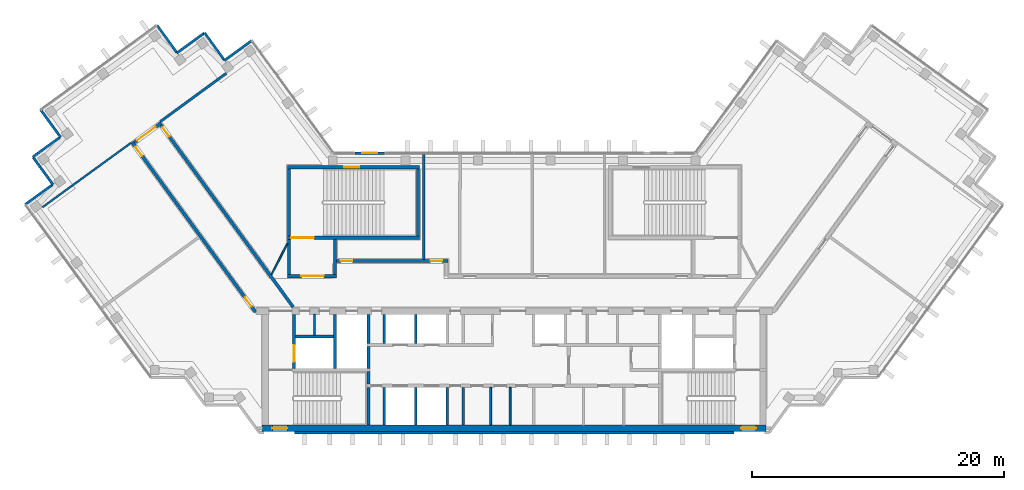
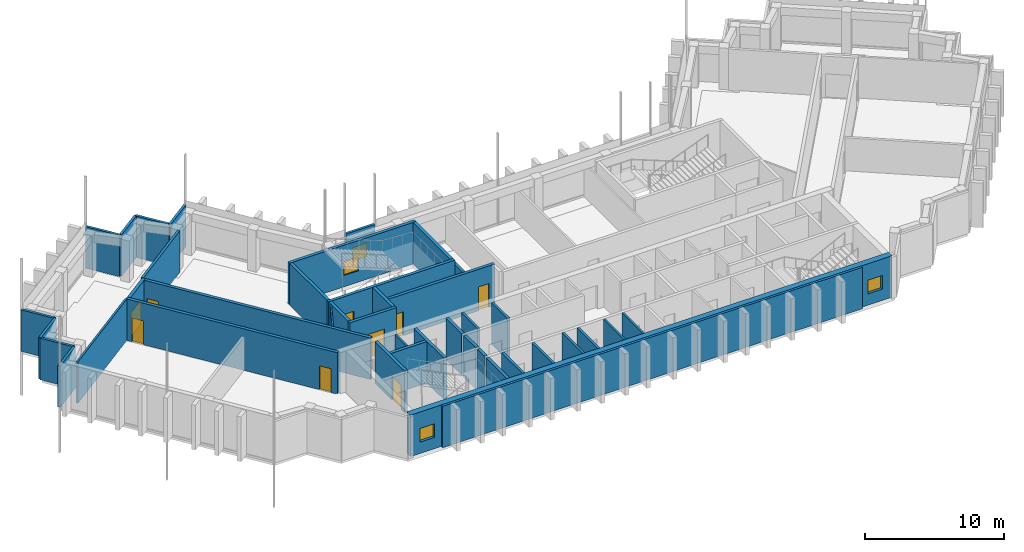
# One storey, part 8 of 14: 42 walls, 9 doors, 4 windows, 13 openings.
"""IFC4 building model written with IfcOpenShell, lengths in metres."""

import ifcopenshell
import ifcopenshell.guid

model = None  # the IFC model being written
_history = None  # IfcOwnerHistory: only IFC2X3 demands one
_inside = {}  # id of a spatial element -> (the spatial element, [elements in it])
_under = {}  # id of a project, library or spatial element -> (it, [spatial elements below it])
_declared = {}  # id of a project -> (the project, [libraries it declares])
_typed = {}  # id of a type object -> (the type object, [elements of that type])
_made_of = {}  # id of a material, layer set ... -> (it, [elements and type objects made of it])


def new_model(schema):
    """Start an empty IFC model of exactly this schema.

    Asked for "IFC4X3", IfcOpenShell would pick the latest addendum, in which some entities
    have other attributes; the version numbers below select the first issue.
    IFC2X3 requires an IfcOwnerHistory on every rooted entity: one is made here for all.
    """
    global model, _history
    if schema == "IFC4X3":
        model = ifcopenshell.file(schema_version=(4, 3, 0, 0))
    else:
        model = ifcopenshell.file(schema=schema)
    _inside.clear()
    _under.clear()
    _declared.clear()
    _typed.clear()
    _made_of.clear()
    _history = None
    if model.schema == "IFC2X3":
        org = make("IfcOrganization", Name="unknown")
        user = make(
            "IfcPersonAndOrganization",
            ThePerson=make("IfcPerson", FamilyName="unknown"),
            TheOrganization=org,
        )
        app = make(
            "IfcApplication",
            ApplicationDeveloper=org,
            Version="unknown",
            ApplicationFullName="unknown",
            ApplicationIdentifier="unknown",
        )
        _history = make(
            "IfcOwnerHistory",
            OwningUser=user,
            OwningApplication=app,
            ChangeAction="ADDED",
            CreationDate=0,
        )
    return model


def make(cls, **values):
    """One entity of the class cls with the attributes given. An attribute that is None is left unset."""
    return model.create_entity(
        cls, **{name: value for name, value in values.items() if value is not None}
    )


def rooted(cls, **values):
    """An entity with a GlobalId (a new one), such as an element, a storey or a relation."""
    return make(cls, GlobalId=ifcopenshell.guid.new(), OwnerHistory=_history, **values)


def si_unit(unit_type, name, prefix=None):
    """IfcSIUnit, for example si_unit("LENGTHUNIT", "METRE", prefix="MILLI")."""
    return make("IfcSIUnit", UnitType=unit_type, Prefix=prefix, Name=name)


def assignment(units):
    """IfcUnitAssignment: the units of a project."""
    return None if units is None else make("IfcUnitAssignment", Units=units)


def point(xyz):
    """IfcCartesianPoint."""
    return None if xyz is None else make("IfcCartesianPoint", Coordinates=xyz)


def direction(xyz):
    """IfcDirection."""
    return None if xyz is None else make("IfcDirection", DirectionRatios=xyz)


def frame(location, z_axis=None, x_axis=None):
    """IfcAxis2Placement3D, a coordinate frame: its origin and axes. An axis left out is left unset."""
    return make(
        "IfcAxis2Placement3D",
        Location=point(location),
        Axis=direction(z_axis),
        RefDirection=direction(x_axis),
    )


def frame_2d(location, x_axis=None):
    """IfcAxis2Placement2D, a coordinate frame in the plane: its origin and x axis."""
    return make(
        "IfcAxis2Placement2D", Location=point(location), RefDirection=direction(x_axis)
    )


def origin():
    """The frame at (0, 0, 0) with its axes left unset."""
    return frame((0.0, 0.0, 0.0))


def place(relative_to, where):
    """IfcLocalPlacement: puts the frame where relative to a parent placement (None: the world)."""
    return make(
        "IfcLocalPlacement", PlacementRelTo=relative_to, RelativePlacement=where
    )


def context(
    kind, dimensions, precision=None, world=None, true_north=None, identifier=None
):
    """IfcGeometricRepresentationContext, for example the 3D "Model" context."""
    return make(
        "IfcGeometricRepresentationContext",
        ContextIdentifier=identifier,
        ContextType=kind,
        CoordinateSpaceDimension=dimensions,
        Precision=precision,
        WorldCoordinateSystem=world,
        TrueNorth=true_north,
    )


def subcontext(parent, identifier, kind, view, scale=None):
    """IfcGeometricRepresentationSubContext, for example "Body" below "Model"."""
    return make(
        "IfcGeometricRepresentationSubContext",
        ContextIdentifier=identifier,
        ContextType=kind,
        ParentContext=parent,
        TargetScale=scale,
        TargetView=view,
    )


def project(units=None, contexts=None):
    """IfcProject with its units and contexts."""
    return rooted(
        "IfcProject",
        Name="project",
        RepresentationContexts=contexts,
        UnitsInContext=assignment(units),
    )


def spatial(cls, under=None, at=None, **own):
    """A site, building, storey or space (cls), placed at a placement, below another one or the project."""
    s = rooted(cls, ObjectPlacement=at, **own)
    if under is not None:
        _under.setdefault(under.id(), (under, []))[1].append(s)
    return s


def profile(cls, at=None, kind="AREA", **sizes):
    """A parametric profile (cls). Its sizes go by their IFC names, for example OverallWidth=200.0."""
    return make(cls, ProfileType=kind, Position=at, **sizes)


def rectangle(**sizes):
    """IfcRectangleProfileDef."""
    return profile("IfcRectangleProfileDef", **sizes)


def extrude(swept, where, along, depth):
    """IfcExtrudedAreaSolid: the profile swept, set in the frame where, extruded along a direction by depth."""
    return make(
        "IfcExtrudedAreaSolid",
        SweptArea=swept,
        Position=where,
        ExtrudedDirection=direction(along),
        Depth=depth,
    )


def shape(context_of_items, identifier, shape_type, items):
    """IfcShapeRepresentation: the items that make up one representation, for example the "Body"."""
    return make(
        "IfcShapeRepresentation",
        ContextOfItems=context_of_items,
        RepresentationIdentifier=identifier,
        RepresentationType=shape_type,
        Items=items,
    )


def material(Name=None, Category=None):
    """IfcMaterial."""
    return make("IfcMaterial", Name=Name, Category=Category)


def layer(
    of_material, thickness, ventilated=None, Name=None, Category=None, Priority=None
):
    """IfcMaterialLayer: one layer of a wall or slab, of a material (None: an air gap)."""
    return make(
        "IfcMaterialLayer",
        Material=of_material,
        LayerThickness=thickness,
        IsVentilated=ventilated,
        Name=Name,
        Category=Category,
        Priority=Priority,
    )


def layer_set(layers, Name=None):
    """IfcMaterialLayerSet."""
    return make("IfcMaterialLayerSet", MaterialLayers=layers, LayerSetName=Name)


def made_of(thing, what):
    """Note that an element or type object is made of a material, layer set ...; save() writes the relation."""
    if what is not None:
        _made_of.setdefault(what.id(), (what, []))[1].append(thing)
    return thing


def type_object(cls, material=None, **own):
    """A type object (cls), such as IfcWallType, which elements share."""
    return made_of(rooted(cls, **own), material)


def element(
    cls,
    number,
    at=None,
    inside=None,
    cuts=None,
    type_object=None,
    material=None,
    context=None,
    identifier="Body",
    shape_type=None,
    held_by="IfcProductDefinitionShape",
    body=None,
    shapes=None,
    **own,
):
    """One element of the class cls, such as IfcWall. Its Tag is "e" and its number.

    at: its placement. inside: the storey or other place that contains it. cuts: it is an
    opening in that element (IfcRelVoidsElement). A single representation is given by context,
    identifier, shape_type and body (its items); several are given by shapes. held_by: the class
    of the entity that holds the representations. save() writes the other relations.
    """
    e = rooted(cls, Tag="e%d" % number, ObjectPlacement=at, **own)
    if body is not None:
        shapes = [shape(context, identifier, shape_type, body)]
    if shapes is not None:
        e.Representation = make(held_by, Representations=shapes)
    if inside is not None:
        _inside.setdefault(inside.id(), (inside, []))[1].append(e)
    if cuts is not None:
        rooted(
            "IfcRelVoidsElement", RelatingBuildingElement=cuts, RelatedOpeningElement=e
        )
    if type_object is not None:
        _typed.setdefault(type_object.id(), (type_object, []))[1].append(e)
    return made_of(e, material)


def fill(opening, filler):
    """IfcRelFillsElement: the door or window that sits in an opening."""
    return rooted(
        "IfcRelFillsElement",
        RelatingOpeningElement=opening,
        RelatedBuildingElement=filler,
    )


def aggregate(whole, parts):
    """IfcRelAggregates: a whole, such as a stair, and the parts it consists of."""
    return rooted("IfcRelAggregates", RelatingObject=whole, RelatedObjects=parts)


def save(model, path):
    """Write the relations noted so far, then the file.

    IfcRelAggregates (storeys below a building ...), IfcRelContainedInSpatialStructure (elements
    in a storey), IfcRelDefinesByType, IfcRelAssociatesMaterial and IfcRelDeclares: one each for
    every whole, place, type object, material and project.
    """
    for whole, parts in _under.values():
        aggregate(whole, parts)
    for where, things in _inside.values():
        rooted(
            "IfcRelContainedInSpatialStructure",
            RelatedElements=things,
            RelatingStructure=where,
        )
    for kind, things in _typed.values():
        rooted("IfcRelDefinesByType", RelatedObjects=things, RelatingType=kind)
    for what, things in _made_of.values():
        rooted("IfcRelAssociatesMaterial", RelatedObjects=things, RelatingMaterial=what)
    for by, libraries in _declared.values():
        rooted("IfcRelDeclares", RelatingContext=by, RelatedDefinitions=libraries)
    model.write(path)


model = new_model("IFC4")

# Units and contexts
model_context = context("Model", 3, precision=1e-05, world=origin(), true_north=direction((0.0, 1.0)))
body_context = subcontext(model_context, "Body", "Model", "MODEL_VIEW")
ifc_project = project(units=[si_unit("LENGTHUNIT", "METRE"), si_unit("AREAUNIT", "SQUARE_METRE"), si_unit("VOLUMEUNIT", "CUBIC_METRE"), si_unit("PLANEANGLEUNIT", "RADIAN"), si_unit("MASSUNIT", "GRAM", prefix="KILO")], contexts=[model_context])

# Site, building, storey
site_placement = place(None, origin())
site = spatial("IfcSite", under=ifc_project, at=site_placement, CompositionType="ELEMENT")
building_placement = place(site_placement, origin())
building = spatial("IfcBuilding", under=site, at=building_placement, Name="Quipu Civic Tower", CompositionType="ELEMENT")
storey_placement = place(building_placement, frame((0.0, 0.0, 335.0)))
storey = spatial("IfcBuildingStorey", under=building, at=storey_placement, Name="L78", CompositionType="ELEMENT", Elevation=335.0)

# Walls
ifc_material_1 = material(Name="Double gypsum plasterboard with mineral wool")
ifc_layer_1 = layer(ifc_material_1, 0.14990234375)
ifc_layer_set_1 = layer_set([ifc_layer_1], Name="Double gypsum plasterboard with mineral wool")
wall_type_1 = type_object("IfcWallType", Name="Acoustic partition 150 plasterboard", PredefinedType="PARTITIONING", material=ifc_layer_set_1)
wall_1_placement = place(storey_placement, frame((-37.42919921875, 6.805419921875, 0.0), z_axis=(0.0, 0.0, 1.0), x_axis=(0.809020922653, 0.587779845444, 0.0)))
element("IfcWall", 1, at=wall_1_placement, inside=storey, type_object=wall_type_1, Name="Partition P04", PredefinedType="PARTITIONING", context=body_context, shape_type="SweptSolid", body=[
    extrude(rectangle(XDim=8.670166015625, YDim=0.14990234375, at=frame_2d((4.3349609375, 0.0))), origin(), (0.0, 0.0, 1.0), 3.64990234375),
])
ifc_material_2 = material(Name="Fired clay blockwork", Category="masonry")
ifc_layer_2 = layer(ifc_material_2, 0.199951171875)
ifc_layer_set_2 = layer_set([ifc_layer_2], Name="Fired clay blockwork")
wall_type_2 = type_object("IfcWallType", Name="Blockwork wall 200", PredefinedType="SOLIDWALL", material=ifc_layer_set_2)
wall_2_placement = place(storey_placement, frame((-28.101318359375, 13.58251953125, 0.0), z_axis=(0.0, 0.0, 1.0), x_axis=(0.80699548015, 0.590557613631, 0.0)))
element("IfcWall", 2, at=wall_2_placement, inside=storey, type_object=wall_type_2, Name="Partition P03", PredefinedType="SOLIDWALL", context=body_context, shape_type="SweptSolid", body=[
    extrude(rectangle(XDim=6.515380859375, YDim=0.199951171875, at=frame_2d((3.2578125, 0.0))), origin(), (0.0, 0.0, 1.0), 3.64990234375),
])
wall_3_placement = place(storey_placement, frame((-7.177978515625, 11.0, 0.0), z_axis=(0.0, 0.0, 1.0), x_axis=(0.0, -1.0, 0.0)))
element("IfcWall", 3, at=wall_3_placement, inside=storey, type_object=wall_type_2, Name="Partition P08", PredefinedType="SOLIDWALL", context=body_context, shape_type="SweptSolid", body=[
    extrude(rectangle(XDim=8.35009765625, YDim=0.199951171875, at=frame_2d((4.175048828125, 0.0))), origin(), (0.0, 0.0, 1.0), 2.949951171875),
])
ifc_material_3 = material(Name="Concrete C70/85", Category="concrete")
ifc_layer_3 = layer(ifc_material_3, 0.25)
ifc_layer_set_3 = layer_set([ifc_layer_3], Name="Concrete C70/85")
wall_type_3 = type_object("IfcWallType", Name="Core wall 250", PredefinedType="SHEAR", material=ifc_layer_set_3)
wall_4_placement = place(storey_placement, frame((-11.574951171875, -10.5, 0.0), z_axis=(0.0, 0.0, 1.0), x_axis=(0.0, 1.0, 0.0)))
element("IfcWall", 4, at=wall_4_placement, inside=storey, type_object=wall_type_3, Name="Core wall", PredefinedType="SHEAR", context=body_context, shape_type="SweptSolid", body=[
    extrude(rectangle(XDim=3.0, YDim=0.25, at=frame_2d((1.5, 0.0))), origin(), (0.0, 0.0, 1.0), 3.64990234375),
])
wall_5_placement = place(storey_placement, frame((-11.574951171875, -7.25, 0.0), z_axis=(0.0, 0.0, 1.0), x_axis=(0.0, 1.0, 0.0)))
element("IfcWall", 5, at=wall_5_placement, inside=storey, type_object=wall_type_3, Name="Core wall", PredefinedType="SHEAR", context=body_context, shape_type="SweptSolid", body=[
    extrude(rectangle(XDim=1.0, YDim=0.25, at=frame_2d((0.5, 0.0))), origin(), (0.0, 0.0, 1.0), 3.64990234375),
])

# Wall, opening, door
wall_6_placement = place(storey_placement, frame((-17.47509765625, -6.0, 0.0), z_axis=(0.0, 0.0, 1.0), x_axis=(0.0, 1.0, 0.0)))
wall_6 = element("IfcWall", 6, at=wall_6_placement, inside=storey, type_object=wall_type_3, Name="Core wall", PredefinedType="SHEAR", context=body_context, shape_type="SweptSolid", body=[
    extrude(rectangle(XDim=4.300048828125, YDim=0.25, at=frame_2d((2.14990234375, 0.0))), origin(), (0.0, 0.0, 1.0), 3.64990234375),
])
opening_1_placement = place(wall_6_placement, frame((0.550048828125, 0.0, 0.0)))
opening_1 = element("IfcOpeningElement", 7, at=opening_1_placement, cuts=wall_6, Name="Opening LD-FF1", PredefinedType="OPENING", context=body_context, shape_type="SweptSolid", body=[
    extrude(rectangle(XDim=1.300048828125, YDim=2.10009765625, at=frame_2d((0.64990234375, 1.050048828125))), frame((0.0, 0.135009765625, 0.0), z_axis=(0.0, -1.0, 0.0), x_axis=(1.0, 0.0, 0.0)), (0.0, 0.0, 1.0), 0.27001953125),
])
ifc_material_4 = material(Name="Stainless steel", Category="steel")
door_type_1 = type_object("IfcDoorType", Name="Lift landing door 1300 x 2100", OperationType="DOUBLE_DOOR_SLIDING", PredefinedType="DOOR", material=ifc_material_4)
door_1_placement = place(opening_1_placement, origin())
door_1 = element("IfcDoor", 8, at=door_1_placement, inside=storey, type_object=door_type_1, Name="Landing door FF1", OperationType="DOUBLE_DOOR_SLIDING", OverallHeight=2.10009765625, OverallWidth=1.300048828125, PredefinedType="DOOR", context=body_context, shape_type="SweptSolid", body=[
    extrude(rectangle(XDim=1.300048828125, YDim=2.10009765625, at=frame_2d((0.64990234375, 1.050048828125))), frame((0.0, 0.02490234375, 0.0), z_axis=(0.0, -1.0, 0.0), x_axis=(1.0, 0.0, 0.0)), (0.0, 0.0, 1.0), 0.050048828125),
])
fill(opening_1, door_1)

# Walls
wall_7_placement = place(storey_placement, frame((-14.22509765625, -6.0, 0.0), z_axis=(0.0, 0.0, 1.0), x_axis=(0.0, 1.0, 0.0)))
element("IfcWall", 9, at=wall_7_placement, inside=storey, type_object=wall_type_3, Name="Core wall", PredefinedType="SHEAR", context=body_context, shape_type="SweptSolid", body=[
    extrude(rectangle(XDim=4.300048828125, YDim=0.25, at=frame_2d((2.14990234375, 0.0))), origin(), (0.0, 0.0, 1.0), 3.64990234375),
])
wall_8_placement = place(storey_placement, frame((-11.574951171875, -6.0, 0.0), z_axis=(0.0, 0.0, 1.0), x_axis=(0.0, 1.0, 0.0)))
element("IfcWall", 10, at=wall_8_placement, inside=storey, type_object=wall_type_3, Name="Core wall", PredefinedType="SHEAR", context=body_context, shape_type="SweptSolid", body=[
    extrude(rectangle(XDim=1.75, YDim=0.25, at=frame_2d((0.875, 0.0))), origin(), (0.0, 0.0, 1.0), 3.64990234375),
])
wall_9_placement = place(storey_placement, frame((-11.574951171875, -4.0, 0.0), z_axis=(0.0, 0.0, 1.0), x_axis=(0.0, 1.0, 0.0)))
element("IfcWall", 11, at=wall_9_placement, inside=storey, type_object=wall_type_3, Name="Core wall", PredefinedType="SHEAR", context=body_context, shape_type="SweptSolid", body=[
    extrude(rectangle(XDim=2.300048828125, YDim=0.25, at=frame_2d((1.14990234375, 0.0))), origin(), (0.0, 0.0, 1.0), 3.64990234375),
])
wall_10_placement = place(storey_placement, frame((-17.35009765625, -3.47509765625, 0.0), z_axis=(0.0, 0.0, 1.0), x_axis=(1.0, 0.0, 0.0)))
element("IfcWall", 12, at=wall_10_placement, inside=storey, type_object=wall_type_3, Name="Core wall", PredefinedType="SHEAR", context=body_context, shape_type="SweptSolid", body=[
    extrude(rectangle(XDim=3.0, YDim=0.25, at=frame_2d((1.5, 0.0))), origin(), (0.0, 0.0, 1.0), 3.64990234375),
])

# Wall, opening, door
wall_11_placement = place(storey_placement, frame((-18.0, 1.324951171875, 0.0), z_axis=(0.0, 0.0, 1.0), x_axis=(1.0, 0.0, 0.0)))
wall_11 = element("IfcWall", 13, at=wall_11_placement, inside=storey, type_object=wall_type_3, Name="Core wall", PredefinedType="SHEAR", context=body_context, shape_type="SweptSolid", body=[
    extrude(rectangle(XDim=3.89990234375, YDim=0.25, at=frame_2d((1.949951171875, 0.0))), origin(), (0.0, 0.0, 1.0), 3.64990234375),
])
opening_2_placement = place(wall_11_placement, frame((1.10009765625, 0.0, 0.0)))
opening_2 = element("IfcOpeningElement", 14, at=opening_2_placement, cuts=wall_11, Name="Opening CD-27", PredefinedType="OPENING", context=body_context, shape_type="SweptSolid", body=[
    extrude(rectangle(XDim=1.800048828125, YDim=2.10009765625, at=frame_2d((0.89990234375, 1.050048828125))), frame((0.0, 0.135009765625, 0.0), z_axis=(0.0, -1.0, 0.0), x_axis=(1.0, 0.0, 0.0)), (0.0, 0.0, 1.0), 0.27001953125),
])
ifc_material_5 = material(Name="Fire rated steel door", Category="steel")
door_type_2 = type_object("IfcDoorType", Name="Fire door FD90 double 1800 x 2100", OperationType="NOTDEFINED", PredefinedType="DOOR", material=ifc_material_5)
door_2_placement = place(opening_2_placement, origin())
door_2 = element("IfcDoor", 15, at=door_2_placement, inside=storey, type_object=door_type_2, Name="Lobby door", OperationType="DOUBLE_DOOR_SINGLE_SWING", OverallHeight=2.10009765625, OverallWidth=1.800048828125, PredefinedType="DOOR", context=body_context, shape_type="SweptSolid", body=[
    extrude(rectangle(XDim=1.800048828125, YDim=2.10009765625, at=frame_2d((0.89990234375, 1.050048828125))), frame((0.0, 0.02490234375, 0.0), z_axis=(0.0, -1.0, 0.0), x_axis=(1.0, 0.0, 0.0)), (0.0, 0.0, 1.0), 0.050048828125),
])
fill(opening_2, door_2)

# Walls
for number, where, z_axis, x_axis, name in (
    (16, (-17.875, 1.449951171875, 0.0), (0.0, 0.0, 1.0), (0.0, 1.0, 0.0), "Core wall"),
    (17, (-14.22509765625, 1.449951171875, 0.0), (0.0, 0.0, 1.0), (0.0, 1.0, 0.0), "Core wall"),
):
    element("IfcWall", number, at=place(storey_placement, frame(where, z_axis=z_axis, x_axis=x_axis)), inside=storey, type_object=wall_type_3, Name=name, PredefinedType="SHEAR", context=body_context, shape_type="SweptSolid", body=[
        extrude(rectangle(XDim=2.800048828125, YDim=0.25, at=frame_2d((1.39990234375, 0.0))), origin(), (0.0, 0.0, 1.0), 3.64990234375),
    ])

# Wall, opening, door
wall_12_placement = place(storey_placement, frame((-18.0, 4.375, 0.0), z_axis=(0.0, 0.0, 1.0), x_axis=(1.0, 0.0, 0.0)))
wall_12 = element("IfcWall", 18, at=wall_12_placement, inside=storey, type_object=wall_type_3, Name="Core wall", PredefinedType="SHEAR", context=body_context, shape_type="SweptSolid", body=[
    extrude(rectangle(XDim=10.5, YDim=0.25, at=frame_2d((5.25, 0.0))), origin(), (0.0, 0.0, 1.0), 3.64990234375),
])
opening_3_placement = place(wall_12_placement, frame((0.300048828125, 0.0, 0.0)))
opening_3 = element("IfcOpeningElement", 19, at=opening_3_placement, cuts=wall_12, Name="Opening CD-28", PredefinedType="OPENING", context=body_context, shape_type="SweptSolid", body=[
    extrude(rectangle(XDim=1.800048828125, YDim=2.10009765625, at=frame_2d((0.89990234375, 1.050048828125))), frame((0.0, 0.135009765625, 0.0), z_axis=(0.0, -1.0, 0.0), x_axis=(1.0, 0.0, 0.0)), (0.0, 0.0, 1.0), 0.27001953125),
])
door_3_placement = place(opening_3_placement, origin())
door_3 = element("IfcDoor", 20, at=door_3_placement, inside=storey, type_object=door_type_2, Name="Door", OperationType="DOUBLE_DOOR_SINGLE_SWING", OverallHeight=2.10009765625, OverallWidth=1.800048828125, PredefinedType="DOOR", context=body_context, shape_type="SweptSolid", body=[
    extrude(rectangle(XDim=1.800048828125, YDim=2.10009765625, at=frame_2d((0.89990234375, 1.050048828125))), frame((0.0, 0.02490234375, 0.0), z_axis=(0.0, -1.0, 0.0), x_axis=(1.0, 0.0, 0.0)), (0.0, 0.0, 1.0), 0.050048828125),
])
fill(opening_3, door_3)

# Walls
for number, where, z_axis, x_axis, name in (
    (21, (-17.875, 4.5, 0.0), (0.0, 0.0, 1.0), (0.0, 1.0, 0.0), "Core wall"),
    (22, (-7.625, 4.5, 0.0), (0.0, 0.0, 1.0), (0.0, 1.0, 0.0), "Core wall"),
):
    element("IfcWall", number, at=place(storey_placement, frame(where, z_axis=z_axis, x_axis=x_axis)), inside=storey, type_object=wall_type_3, Name=name, PredefinedType="SHEAR", context=body_context, shape_type="SweptSolid", body=[
        extrude(rectangle(XDim=5.35009765625, YDim=0.25, at=frame_2d((2.675048828125, 0.0))), origin(), (0.0, 0.0, 1.0), 3.64990234375),
    ])

# Wall, opening, window
wall_13_placement = place(storey_placement, frame((-18.0, 9.97509765625, 0.0), z_axis=(0.0, 0.0, 1.0), x_axis=(1.0, 0.0, 0.0)))
wall_13 = element("IfcWall", 23, at=wall_13_placement, inside=storey, type_object=wall_type_3, Name="Core wall", PredefinedType="SHEAR", context=body_context, shape_type="SweptSolid", body=[
    extrude(rectangle(XDim=10.5, YDim=0.25, at=frame_2d((5.25, 0.0))), origin(), (0.0, 0.0, 1.0), 3.64990234375),
])
opening_4_placement = place(wall_13_placement, frame((4.5, 0.0, 1.0)))
opening_4 = element("IfcOpeningElement", 24, at=opening_4_placement, cuts=wall_13, Name="Opening SV-3", PredefinedType="OPENING", context=body_context, shape_type="SweptSolid", body=[
    extrude(rectangle(XDim=1.199951171875, YDim=1.199951171875, at=frame_2d((0.60009765625, 0.60009765625))), frame((0.0, 0.135009765625, 0.0), z_axis=(0.0, -1.0, 0.0), x_axis=(1.0, 0.0, 0.0)), (0.0, 0.0, 1.0), 0.27001953125),
])
ifc_material_6 = material(Name="Aluminium louvre", Category="aluminium")
window_type_1 = type_object("IfcWindowType", Name="Stair ventilation louvre 1200 x 1200", PartitioningType="SINGLE_PANEL", PredefinedType="WINDOW", material=ifc_material_6)
window_1_placement = place(opening_4_placement, origin())
window_1 = element("IfcWindow", 25, at=window_1_placement, inside=storey, type_object=window_type_1, Name="Stair ventilation opening", OverallHeight=1.199951171875, OverallWidth=1.199951171875, PartitioningType="SINGLE_PANEL", PredefinedType="WINDOW", context=body_context, shape_type="SweptSolid", body=[
    extrude(rectangle(XDim=1.199951171875, YDim=1.199951171875, at=frame_2d((0.60009765625, 0.60009765625))), frame((0.0, 0.030029296875, 0.0), z_axis=(0.0, -1.0, 0.0), x_axis=(1.0, 0.0, 0.0)), (0.0, 0.0, 1.0), 0.06005859375),
])
fill(opening_4, window_1)

# Wall, openings, windows
ifc_material_7 = material(Name="Concrete C70/85", Category="concrete")
ifc_layer_4 = layer(ifc_material_7, 0.5)
ifc_layer_set_4 = layer_set([ifc_layer_4], Name="Concrete C70/85")
wall_type_4 = type_object("IfcWallType", Name="Core wall 500", PredefinedType="SHEAR", material=ifc_layer_set_4)
wall_14_placement = place(storey_placement, frame((-20.0, -10.75, 0.0), z_axis=(0.0, 0.0, 1.0), x_axis=(1.0, 0.0, 0.0)))
wall_14 = element("IfcWall", 26, at=wall_14_placement, inside=storey, type_object=wall_type_4, Name="Core wall", PredefinedType="SHEAR", context=body_context, shape_type="SweptSolid", body=[
    extrude(rectangle(XDim=40.0, YDim=0.5, at=frame_2d((20.0, 0.0))), origin(), (0.0, 0.0, 1.0), 3.64990234375),
])
opening_5_placement = place(wall_14_placement, frame((0.800048828125, 0.0, 1.0)))
opening_5 = element("IfcOpeningElement", 27, at=opening_5_placement, cuts=wall_14, Name="Opening SV-1", PredefinedType="OPENING", context=body_context, shape_type="SweptSolid", body=[
    extrude(rectangle(XDim=1.199951171875, YDim=1.199951171875, at=frame_2d((0.60009765625, 0.60009765625))), frame((0.0, 0.260009765625, 0.0), z_axis=(0.0, -1.0, 0.0), x_axis=(1.0, 0.0, 0.0)), (0.0, 0.0, 1.0), 0.52001953125),
])
opening_6_placement = place(wall_14_placement, frame((38.0, 0.0, 1.0)))
opening_6 = element("IfcOpeningElement", 28, at=opening_6_placement, cuts=wall_14, Name="Opening SV-2", PredefinedType="OPENING", context=body_context, shape_type="SweptSolid", body=[
    extrude(rectangle(XDim=1.199951171875, YDim=1.199951171875, at=frame_2d((0.60009765625, 0.60009765625))), frame((0.0, 0.260009765625, 0.0), z_axis=(0.0, -1.0, 0.0), x_axis=(1.0, 0.0, 0.0)), (0.0, 0.0, 1.0), 0.52001953125),
])
window_2_placement = place(opening_5_placement, origin())
window_2 = element("IfcWindow", 29, at=window_2_placement, inside=storey, type_object=window_type_1, Name="Stair ventilation opening", OverallHeight=1.199951171875, OverallWidth=1.199951171875, PartitioningType="SINGLE_PANEL", PredefinedType="WINDOW", context=body_context, shape_type="SweptSolid", body=[
    extrude(rectangle(XDim=1.199951171875, YDim=1.199951171875, at=frame_2d((0.60009765625, 0.60009765625))), frame((0.0, 0.030029296875, 0.0), z_axis=(0.0, -1.0, 0.0), x_axis=(1.0, 0.0, 0.0)), (0.0, 0.0, 1.0), 0.06005859375),
])
fill(opening_5, window_2)
window_3_placement = place(opening_6_placement, origin())
window_3 = element("IfcWindow", 30, at=window_3_placement, inside=storey, type_object=window_type_1, Name="Stair ventilation opening", OverallHeight=1.199951171875, OverallWidth=1.199951171875, PartitioningType="SINGLE_PANEL", PredefinedType="WINDOW", context=body_context, shape_type="SweptSolid", body=[
    extrude(rectangle(XDim=1.199951171875, YDim=1.199951171875, at=frame_2d((0.60009765625, 0.60009765625))), frame((0.0, 0.030029296875, 0.0), z_axis=(0.0, -1.0, 0.0), x_axis=(1.0, 0.0, 0.0)), (0.0, 0.0, 1.0), 0.06005859375),
])
fill(opening_6, window_3)

# Wall, openings, doors
ifc_material_8 = material(Name="Concrete C50/60", Category="concrete")
ifc_layer_5 = layer(ifc_material_8, 0.25)
ifc_layer_set_5 = layer_set([ifc_layer_5], Name="Concrete C50/60")
wall_type_5 = type_object("IfcWallType", Name="Corridor wall 250 concrete", PredefinedType="SOLIDWALL", material=ifc_layer_set_5)
wall_15_placement = place(storey_placement, frame((-20.531005859375, -1.5234375, 0.0), z_axis=(0.0, 0.0, 1.0), x_axis=(-0.587785867777, 0.809016547199, 0.0)))
wall_15 = element("IfcWall", 31, at=wall_15_placement, inside=storey, type_object=wall_type_5, Name="Corridor wall C04", PredefinedType="SOLIDWALL", context=body_context, shape_type="SweptSolid", body=[
    extrude(rectangle(XDim=16.67041015625, YDim=0.25, at=frame_2d((8.335205078125, 0.0))), origin(), (0.0, 0.0, 1.0), 3.64990234375),
])
opening_7_placement = place(wall_15_placement, frame((0.53271484375, 0.0, 0.0)))
opening_7 = element("IfcOpeningElement", 32, at=opening_7_placement, cuts=wall_15, Name="Opening D012", PredefinedType="OPENING", context=body_context, shape_type="SweptSolid", body=[
    extrude(rectangle(XDim=0.89990234375, YDim=2.10009765625, at=frame_2d((0.449951171875, 1.050048828125))), frame((0.0, 0.135009765625, 0.0), z_axis=(0.0, -1.0, 0.0), x_axis=(1.0, 0.0, 0.0)), (0.0, 0.0, 1.0), 0.27001953125),
])
opening_8_placement = place(wall_15_placement, frame((15.2958984375, 0.0, 0.0)))
opening_8 = element("IfcOpeningElement", 33, at=opening_8_placement, cuts=wall_15, Name="Opening D011", PredefinedType="OPENING", context=body_context, shape_type="SweptSolid", body=[
    extrude(rectangle(XDim=0.89990234375, YDim=2.10009765625, at=frame_2d((0.449951171875, 1.050048828125))), frame((0.0, 0.135009765625, 0.0), z_axis=(0.0, -1.0, 0.0), x_axis=(1.0, 0.0, 0.0)), (0.0, 0.0, 1.0), 0.27001953125),
])
ifc_material_9 = material(Name="Fire rated timber door set with metal frame", Category="wood")
door_type_3 = type_object("IfcDoorType", Name="Single door 900 x 2100 FD60", OperationType="NOTDEFINED", PredefinedType="DOOR", material=ifc_material_9)
door_4_placement = place(opening_7_placement, origin())
door_4 = element("IfcDoor", 34, at=door_4_placement, inside=storey, type_object=door_type_3, Name="Door D012", OperationType="SINGLE_SWING_LEFT", OverallHeight=2.10009765625, OverallWidth=0.89990234375, PredefinedType="DOOR", context=body_context, shape_type="SweptSolid", body=[
    extrude(rectangle(XDim=0.89990234375, YDim=2.10009765625, at=frame_2d((0.449951171875, 1.050048828125))), frame((0.0, 0.02490234375, 0.0), z_axis=(0.0, -1.0, 0.0), x_axis=(1.0, 0.0, 0.0)), (0.0, 0.0, 1.0), 0.050048828125),
])
fill(opening_7, door_4)
door_5_placement = place(opening_8_placement, origin())
door_5 = element("IfcDoor", 35, at=door_5_placement, inside=storey, type_object=door_type_3, Name="Door D011", OperationType="SINGLE_SWING_RIGHT", OverallHeight=2.10009765625, OverallWidth=0.89990234375, PredefinedType="DOOR", context=body_context, shape_type="SweptSolid", body=[
    extrude(rectangle(XDim=0.89990234375, YDim=2.10009765625, at=frame_2d((0.449951171875, 1.050048828125))), frame((0.0, 0.02490234375, 0.0), z_axis=(0.0, -1.0, 0.0), x_axis=(1.0, 0.0, 0.0)), (0.0, 0.0, 1.0), 0.050048828125),
])
fill(opening_8, door_5)

# Wall, opening, door
wall_16_placement = place(storey_placement, frame((-30.155029296875, 11.935546875, 0.0), z_axis=(0.0, 0.0, 1.0), x_axis=(0.809038743598, 0.587755315891, 0.0)))
wall_16 = element("IfcWall", 36, at=wall_16_placement, inside=storey, type_object=wall_type_5, Name="Corridor wall C05", PredefinedType="SOLIDWALL", context=body_context, shape_type="SweptSolid", body=[
    extrude(rectangle(XDim=2.650146484375, YDim=0.25, at=frame_2d((1.3251953125, 0.0))), origin(), (0.0, 0.0, 1.0), 3.64990234375),
])
opening_9_placement = place(wall_16_placement, frame((0.2998046875, 0.0, 0.0)))
opening_9 = element("IfcOpeningElement", 37, at=opening_9_placement, cuts=wall_16, Name="Opening D013", PredefinedType="OPENING", context=body_context, shape_type="SweptSolid", body=[
    extrude(rectangle(XDim=1.800048828125, YDim=2.10009765625, at=frame_2d((0.89990234375, 1.050048828125))), frame((0.0, 0.135009765625, 0.0), z_axis=(0.0, -1.0, 0.0), x_axis=(1.0, 0.0, 0.0)), (0.0, 0.0, 1.0), 0.27001953125),
])
ifc_material_10 = material(Name="Fire rated timber door set with metal frame", Category="wood")
door_type_4 = type_object("IfcDoorType", Name="Double door 1800 x 2100 FD60", OperationType="DOUBLE_DOOR_SINGLE_SWING", PredefinedType="DOOR", material=ifc_material_10)
door_6_placement = place(opening_9_placement, origin())
door_6 = element("IfcDoor", 38, at=door_6_placement, inside=storey, type_object=door_type_4, Name="Door D013", OperationType="DOUBLE_DOOR_SINGLE_SWING", OverallHeight=2.10009765625, OverallWidth=1.800048828125, PredefinedType="DOOR", context=body_context, shape_type="SweptSolid", body=[
    extrude(rectangle(XDim=1.800048828125, YDim=2.10009765625, at=frame_2d((0.89990234375, 1.050048828125))), frame((0.0, 0.02490234375, 0.0), z_axis=(0.0, -1.0, 0.0), x_axis=(1.0, 0.0, 0.0)), (0.0, 0.0, 1.0), 0.050048828125),
])
fill(opening_9, door_6)

wall_17_placement = place(storey_placement, frame((-28.038818359375, 13.318603515625, 0.0), z_axis=(0.0, 0.0, 1.0), x_axis=(0.587791911753, -0.809012155952, 0.0)))
wall_17 = element("IfcWall", 39, at=wall_17_placement, inside=storey, type_object=wall_type_5, Name="Corridor wall C06", PredefinedType="SOLIDWALL", context=body_context, shape_type="SweptSolid", body=[
    extrude(rectangle(XDim=17.85302734375, YDim=0.25, at=frame_2d((8.926513671875, 0.0))), origin(), (0.0, 0.0, 1.0), 3.64990234375),
])
opening_10_placement = place(wall_17_placement, frame((0.224853515625, 0.0, 0.0)))
opening_10 = element("IfcOpeningElement", 40, at=opening_10_placement, cuts=wall_17, Name="Opening D010", PredefinedType="OPENING", context=body_context, shape_type="SweptSolid", body=[
    extrude(rectangle(XDim=0.89990234375, YDim=2.10009765625, at=frame_2d((0.449951171875, 1.050048828125))), frame((0.0, 0.135009765625, 0.0), z_axis=(0.0, -1.0, 0.0), x_axis=(1.0, 0.0, 0.0)), (0.0, 0.0, 1.0), 0.27001953125),
])
door_7_placement = place(opening_10_placement, origin())
door_7 = element("IfcDoor", 41, at=door_7_placement, inside=storey, type_object=door_type_3, Name="Door D010", OperationType="SINGLE_SWING_LEFT", OverallHeight=2.10009765625, OverallWidth=0.89990234375, PredefinedType="DOOR", context=body_context, shape_type="SweptSolid", body=[
    extrude(rectangle(XDim=0.89990234375, YDim=2.10009765625, at=frame_2d((0.449951171875, 1.050048828125))), frame((0.0, 0.02490234375, 0.0), z_axis=(0.0, -1.0, 0.0), x_axis=(1.0, 0.0, 0.0)), (0.0, 0.0, 1.0), 0.050048828125),
])
fill(opening_10, door_7)

# Wall, openings, doors
wall_18_placement = place(storey_placement, frame((-14.090087890625, 2.52490234375, 0.0), z_axis=(0.0, 0.0, 1.0), x_axis=(1.0, 0.0, 0.0)))
wall_18 = element("IfcWall", 42, at=wall_18_placement, inside=storey, type_object=wall_type_5, Name="Corridor wall C07", PredefinedType="SOLIDWALL", context=body_context, shape_type="SweptSolid", body=[
    extrude(rectangle(XDim=8.840087890625, YDim=0.25, at=frame_2d((4.419921875, 0.0))), origin(), (0.0, 0.0, 1.0), 3.64990234375),
])
opening_11_placement = place(wall_18_placement, frame((7.466064453125, 0.0, 0.0)))
opening_11 = element("IfcOpeningElement", 43, at=opening_11_placement, cuts=wall_18, Name="Opening D006", PredefinedType="OPENING", context=body_context, shape_type="SweptSolid", body=[
    extrude(rectangle(XDim=0.89990234375, YDim=2.10009765625, at=frame_2d((0.449951171875, 1.050048828125))), frame((0.0, 0.135009765625, 0.0), z_axis=(0.0, -1.0, 0.0), x_axis=(1.0, 0.0, 0.0)), (0.0, 0.0, 1.0), 0.27001953125),
])
opening_12_placement = place(wall_18_placement, frame((0.340087890625, 0.0, 0.0)))
opening_12 = element("IfcOpeningElement", 44, at=opening_12_placement, cuts=wall_18, Name="Opening D005", PredefinedType="OPENING", context=body_context, shape_type="SweptSolid", body=[
    extrude(rectangle(XDim=0.89990234375, YDim=2.10009765625, at=frame_2d((0.449951171875, 1.050048828125))), frame((0.0, 0.135009765625, 0.0), z_axis=(0.0, -1.0, 0.0), x_axis=(1.0, 0.0, 0.0)), (0.0, 0.0, 1.0), 0.27001953125),
])
door_8_placement = place(opening_11_placement, origin())
door_8 = element("IfcDoor", 45, at=door_8_placement, inside=storey, type_object=door_type_3, Name="Door D006", OperationType="SINGLE_SWING_RIGHT", OverallHeight=2.10009765625, OverallWidth=0.89990234375, PredefinedType="DOOR", context=body_context, shape_type="SweptSolid", body=[
    extrude(rectangle(XDim=0.89990234375, YDim=2.10009765625, at=frame_2d((0.449951171875, 1.050048828125))), frame((0.0, 0.02490234375, 0.0), z_axis=(0.0, -1.0, 0.0), x_axis=(1.0, 0.0, 0.0)), (0.0, 0.0, 1.0), 0.050048828125),
])
fill(opening_11, door_8)
door_9_placement = place(opening_12_placement, origin())
door_9 = element("IfcDoor", 46, at=door_9_placement, inside=storey, type_object=door_type_3, Name="Door D005", OperationType="SINGLE_SWING_LEFT", OverallHeight=2.10009765625, OverallWidth=0.89990234375, PredefinedType="DOOR", context=body_context, shape_type="SweptSolid", body=[
    extrude(rectangle(XDim=0.89990234375, YDim=2.10009765625, at=frame_2d((0.449951171875, 1.050048828125))), frame((0.0, 0.02490234375, 0.0), z_axis=(0.0, -1.0, 0.0), x_axis=(1.0, 0.0, 0.0)), (0.0, 0.0, 1.0), 0.050048828125),
])
fill(opening_12, door_9)

# Walls
ifc_material_11 = material(Name="Gypsum plasterboard on light gauge framing")
ifc_layer_6 = layer(ifc_material_11, 0.1201171875)
ifc_layer_set_6 = layer_set([ifc_layer_6], Name="Gypsum plasterboard on light gauge framing")
wall_type_6 = type_object("IfcWallType", Name="Partition 120 plasterboard", PredefinedType="PARTITIONING", material=ifc_layer_set_6)
wall_19_placement = place(storey_placement, frame((-19.260986328125, 1.449951171875, 0.0), z_axis=(0.0, 0.0, 1.0), x_axis=(0.453950796792, 0.891026752736, 0.0)))
element("IfcWall", 47, at=wall_19_placement, inside=storey, type_object=wall_type_6, Name="Partition P12", PredefinedType="PARTITIONING", context=body_context, shape_type="SweptSolid", body=[
    extrude(rectangle(XDim=2.77783203125, YDim=0.1201171875, at=frame_2d((1.388916015625, 0.0))), origin(), (0.0, 0.0, 1.0), 3.64990234375),
])
ifc_material_12 = material(Name="Gypsum board partition")
ifc_layer_7 = layer(ifc_material_12, 0.14990234375)
ifc_layer_set_7 = layer_set([ifc_layer_7], Name="Gypsum board partition")
wall_type_7 = type_object("IfcWallType", Name="Partition 150", PredefinedType="PARTITIONING", material=ifc_layer_set_7)
for number, where, z_axis, x_axis, name in (
    (48, (-1.875, -10.5, 0.0), (0.0, 0.0, 1.0), (0.0, 1.0, 0.0), "Partition"),
    (49, (-0.324951171875, -10.5, 0.0), (0.0, 0.0, 1.0), (0.0, 1.0, 0.0), "Partition"),
):
    element("IfcWall", number, at=place(storey_placement, frame(where, z_axis=z_axis, x_axis=x_axis)), inside=storey, type_object=wall_type_7, Name=name, PredefinedType="PARTITIONING", context=body_context, shape_type="SweptSolid", body=[
        extrude(rectangle(XDim=3.0, YDim=0.14990234375, at=frame_2d((1.5, 0.0))), origin(), (0.0, 0.0, 1.0), 3.64990234375),
    ])
wall_20_placement = place(storey_placement, frame((-15.85009765625, -3.35009765625, 0.0), z_axis=(0.0, 0.0, 1.0), x_axis=(0.0, 1.0, 0.0)))
element("IfcWall", 50, at=wall_20_placement, inside=storey, type_object=wall_type_7, Name="Partition", PredefinedType="PARTITIONING", context=body_context, shape_type="SweptSolid", body=[
    extrude(rectangle(XDim=1.650146484375, YDim=0.14990234375, at=frame_2d((0.8251953125, 0.0))), origin(), (0.0, 0.0, 1.0), 3.64990234375),
])
ifc_material_13 = material(Name="Precast concrete C40/50", Category="concrete")
wall_type_8 = type_object("IfcWallType", Name="Precast cladding wall", PredefinedType="SOLIDWALL", material=ifc_material_13)
for number, where, z_axis, x_axis, name in (
    (51, (-20.828857421875, 20.025390625, 0.0), (0.0, 0.0, 1.0), (-0.808990163075, -0.587822180636, 0.0), "Precast cladding wall L78 P05"),
    (52, (-22.996337890625, 18.465576171875, 0.0), (0.0, 0.0, 1.0), (-0.587762999008, 0.809033161865, 0.0), "Precast cladding wall L78 P06"),
):
    element("IfcWall", number, at=place(storey_placement, frame(where, z_axis=z_axis, x_axis=x_axis)), inside=storey, type_object=wall_type_8, Name=name, PredefinedType="SOLIDWALL", context=body_context, shape_type="SweptSolid", body=[
        extrude(rectangle(XDim=2.699951171875, YDim=0.199951171875, at=frame_2d((1.35009765625, 0.0))), origin(), (0.0, 0.0, 1.0), 3.64990234375),
    ])
for number, where, z_axis, x_axis, name in (
    (53, (-24.60009765625, 20.62255859375, 0.0), (0.0, 0.0, 1.0), (-0.809064397168, -0.587720002413, 0.0), "Precast cladding wall L78 P07"),
    (54, (-26.767578125, 19.062744140625, 0.0), (0.0, 0.0, 1.0), (-0.587720002413, 0.809064397168, 0.0), "Precast cladding wall L78 P08"),
):
    element("IfcWall", number, at=place(storey_placement, frame(where, z_axis=z_axis, x_axis=x_axis)), inside=storey, type_object=wall_type_8, Name=name, PredefinedType="SOLIDWALL", context=body_context, shape_type="SweptSolid", body=[
        extrude(rectangle(XDim=2.7001953125, YDim=0.199951171875, at=frame_2d((1.35009765625, 0.0))), origin(), (0.0, 0.0, 1.0), 3.64990234375),
    ])
for number, where, z_axis, x_axis, name in (
    (55, (-37.591796875, 14.535888671875, 0.0), (0.0, 0.0, 1.0), (0.587762999008, -0.809033161865, 0.0), "Precast cladding wall L78 P10"),
    (56, (-36.031982421875, 12.36865234375, 0.0), (0.0, 0.0, 1.0), (-0.809033161865, -0.587762999008, 0.0), "Precast cladding wall L78 P11"),
    (57, (-38.189208984375, 10.7646484375, 0.0), (0.0, 0.0, 1.0), (0.587822180636, -0.808990163075, 0.0), "Precast cladding wall L78 P12"),
    (58, (-36.62939453125, 8.597412109375, 0.0), (0.0, 0.0, 1.0), (-0.809033161865, -0.587762999008, 0.0), "Precast cladding wall L78 P13"),
):
    element("IfcWall", number, at=place(storey_placement, frame(where, z_axis=z_axis, x_axis=x_axis)), inside=storey, type_object=wall_type_8, Name=name, PredefinedType="SOLIDWALL", context=body_context, shape_type="SweptSolid", body=[
        extrude(rectangle(XDim=2.699951171875, YDim=0.199951171875, at=frame_2d((1.35009765625, 0.0))), origin(), (0.0, 0.0, 1.0), 3.64990234375),
    ])
wall_21_placement = place(storey_placement, frame((-17.44384765625, -11.087890625, 0.0), z_axis=(0.0, 0.0, 1.0), x_axis=(1.0, 0.0, 0.0)))
element("IfcWall", 59, at=wall_21_placement, inside=storey, type_object=wall_type_8, Name="Precast cladding wall L78 P20", PredefinedType="SOLIDWALL", context=body_context, shape_type="SweptSolid", body=[
    extrude(rectangle(XDim=34.8876953125, YDim=0.199951171875, at=frame_2d((17.44384765625, 0.0))), origin(), (0.0, 0.0, 1.0), 3.64990234375),
])

# Wall, opening, window
wall_22_placement = place(storey_placement, frame((-10.263427734375, 11.10009765625, 0.0), z_axis=(0.0, 0.0, 1.0), x_axis=(-1.0, 0.0, 0.0)))
wall_22 = element("IfcWall", 60, at=wall_22_placement, inside=storey, type_object=wall_type_8, Name="Vent surround SF-L77-1", PredefinedType="SOLIDWALL", context=body_context, shape_type="SweptSolid", body=[
    extrude(rectangle(XDim=2.3916015625, YDim=0.199951171875, at=frame_2d((1.19580078125, 0.0))), origin(), (0.0, 0.0, 1.0), 3.64990234375),
])
opening_13_placement = place(wall_22_placement, frame((0.595703125, 0.0, 1.0)))
opening_13 = element("IfcOpeningElement", 61, at=opening_13_placement, cuts=wall_22, Name="Opening SF-L77-1", PredefinedType="OPENING", context=body_context, shape_type="SweptSolid", body=[
    extrude(rectangle(XDim=1.199951171875, YDim=1.199951171875, at=frame_2d((0.60009765625, 0.60009765625))), frame((0.0, 0.10986328125, 0.0), z_axis=(0.0, -1.0, 0.0), x_axis=(1.0, 0.0, 0.0)), (0.0, 0.0, 1.0), 0.219970703125),
])
ifc_material_14 = material(Name="Anodised aluminium louvre", Category="aluminium")
window_type_2 = type_object("IfcWindowType", Name="Stair vent louvre window P3", PartitioningType="SINGLE_PANEL", PredefinedType="WINDOW", material=ifc_material_14)
window_4_placement = place(opening_13_placement, origin())
window_4 = element("IfcWindow", 62, at=window_4_placement, inside=storey, type_object=window_type_2, Name="Stair vent louvre SF-L77-1", OverallHeight=1.199951171875, OverallWidth=1.199951171875, PartitioningType="SINGLE_PANEL", PredefinedType="WINDOW", context=body_context, shape_type="SweptSolid", body=[
    extrude(rectangle(XDim=1.199951171875, YDim=1.199951171875, at=frame_2d((0.60009765625, 0.60009765625))), frame((0.0, 0.030029296875, 0.0), z_axis=(0.0, -1.0, 0.0), x_axis=(1.0, 0.0, 0.0)), (0.0, 0.0, 1.0), 0.06005859375),
])
fill(opening_13, window_4)

# Walls
ifc_material_15 = material(Name="Concrete C40/50", Category="concrete")
ifc_layer_8 = layer(ifc_material_15, 0.199951171875)
ifc_layer_set_8 = layer_set([ifc_layer_8], Name="Concrete C40/50")
wall_type_9 = type_object("IfcWallType", Name="Shaft wall 200", PredefinedType="SOLIDWALL", material=ifc_layer_set_8)
for number, where, z_axis, x_axis, name in (
    (63, (-10.300048828125, -10.5, 0.0), (0.0, 0.0, 1.0), (0.0, 1.0, 0.0), "Shaft wall"),
    (64, (-7.800048828125, -10.5, 0.0), (0.0, 0.0, 1.0), (0.0, 1.0, 0.0), "Shaft wall"),
    (65, (-5.300048828125, -10.5, 0.0), (0.0, 0.0, 1.0), (0.0, 1.0, 0.0), "Shaft wall"),
    (66, (-4.050048828125, -10.5, 0.0), (0.0, 0.0, 1.0), (0.0, 1.0, 0.0), "Shaft wall"),
):
    element("IfcWall", number, at=place(storey_placement, frame(where, z_axis=z_axis, x_axis=x_axis)), inside=storey, type_object=wall_type_9, Name=name, PredefinedType="SOLIDWALL", context=body_context, shape_type="SweptSolid", body=[
        extrude(rectangle(XDim=3.0, YDim=0.199951171875, at=frame_2d((1.5, 0.0))), origin(), (0.0, 0.0, 1.0), 3.64990234375),
    ])
for number, where, z_axis, x_axis, name in (
    (67, (-10.300048828125, -4.0, 0.0), (0.0, 0.0, 1.0), (0.0, 1.0, 0.0), "Shaft wall"),
    (68, (-7.800048828125, -4.0, 0.0), (0.0, 0.0, 1.0), (0.0, 1.0, 0.0), "Shaft wall"),
):
    element("IfcWall", number, at=place(storey_placement, frame(where, z_axis=z_axis, x_axis=x_axis)), inside=storey, type_object=wall_type_9, Name=name, PredefinedType="SOLIDWALL", context=body_context, shape_type="SweptSolid", body=[
        extrude(rectangle(XDim=2.300048828125, YDim=0.199951171875, at=frame_2d((1.14990234375, 0.0))), origin(), (0.0, 0.0, 1.0), 3.64990234375),
    ])

save(model, "model.ifc")
